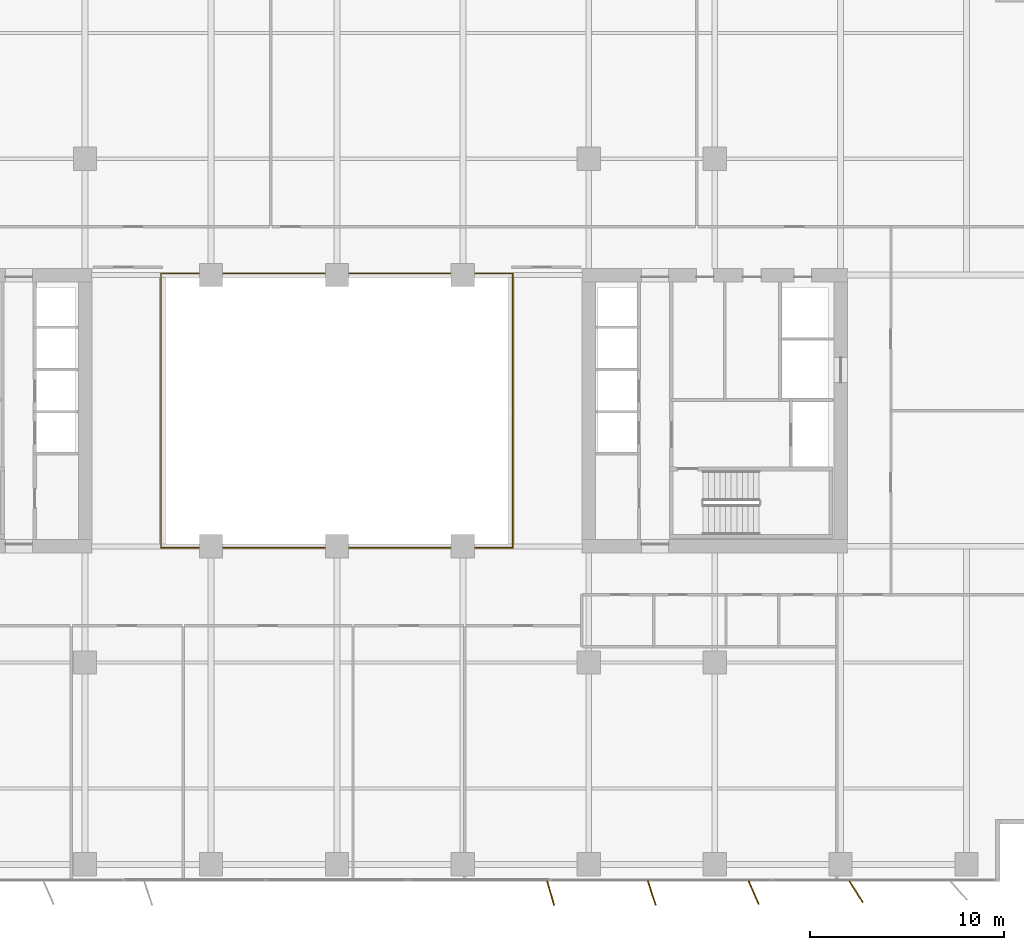
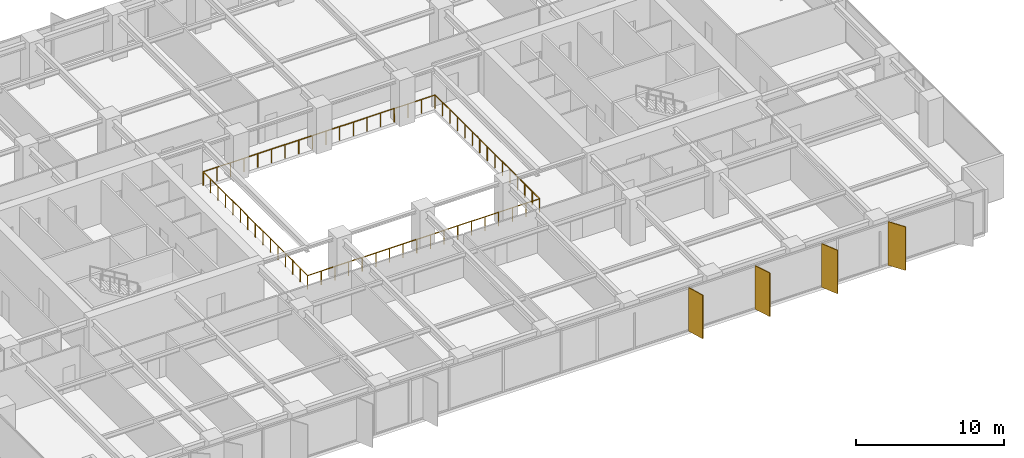
# One storey, part 18 of 20: 4 shading devices, 2 railings.
"""IFC4 building model written with IfcOpenShell, lengths in metres."""

from ifc_helpers import new_model, si_unit, direction, frame, origin, origin_2d, place, context, subcontext, project, spatial, rectangle, circle, extrude, material, layer, layer_set, type_object, element, save


model = new_model("IFC4")

# Units and contexts
model_context = context("Model", 3, precision=1e-05, world=origin(), true_north=direction((0.0, 1.0)))
body_context = subcontext(model_context, "Body", "Model", "MODEL_VIEW")
ifc_project = project(units=[si_unit("LENGTHUNIT", "METRE"), si_unit("AREAUNIT", "SQUARE_METRE"), si_unit("VOLUMEUNIT", "CUBIC_METRE"), si_unit("PLANEANGLEUNIT", "RADIAN"), si_unit("MASSUNIT", "GRAM", prefix="KILO")], contexts=[model_context])

# Site, building, storey
site_placement = place(None, origin())
site = spatial("IfcSite", under=ifc_project, at=site_placement, CompositionType="ELEMENT")
building_placement = place(site_placement, origin())
building = spatial("IfcBuilding", under=site, at=building_placement, Name="Putna Gate Headquarters", CompositionType="ELEMENT")
storey_placement = place(building_placement, frame((0.0, 0.0, 93.60009765625)))
storey = spatial("IfcBuildingStorey", under=building, at=storey_placement, Name="L22", CompositionType="ELEMENT", Elevation=93.60009765625)

# Railings
ifc_material_1 = material(Name="Anodised bronze and laminated glass atrium balustrade", Category="glass")
railing_type = type_object("IfcRailingType", Name="RAIL-ATRIUM-GUARD-1150", PredefinedType="GUARDRAIL", material=ifc_material_1)
railing_1_placement = place(storey_placement, frame((29.919921875, 25.969970703125, 0.0)))
element("IfcRailing", 1, at=railing_1_placement, inside=storey, type_object=railing_type, Name="L22 Central Atrium Glazed Balustrade South", PredefinedType="GUARDRAIL", context=body_context, shape_type="SweptSolid", body=[
    extrude(circle(Radius=0.02392578125, at=origin_2d()), frame((0.0, 0.0, 1.1259765625), z_axis=(0.0, -1.0, 0.0), x_axis=(1.0, 0.0, 0.0)), (0.0, 0.0, 1.0), 7.050048828125),
    extrude(circle(Radius=0.02392578125, at=origin_2d()), frame((0.0, -7.050048828125, 1.1259765625), z_axis=(1.0, 0.0, 0.0), x_axis=(0.0, 1.0, 0.0)), (0.0, 0.0, 1.0), 18.16015625),
    extrude(circle(Radius=0.02392578125, at=origin_2d()), frame((18.16015625, -7.050048828125, 1.1259765625), z_axis=(0.0, 1.0, 0.0), x_axis=(-1.0, 0.0, 0.0)), (0.0, 0.0, 1.0), 7.050048828125),
    extrude(circle(Radius=0.02099609375, at=origin_2d()), origin(), (0.0, 0.0, 1.0), 1.101806640625),
    extrude(circle(Radius=0.02099609375, at=origin_2d()), frame((0.0, -1.007080078125, 0.0)), (0.0, 0.0, 1.0), 1.101806640625),
    extrude(circle(Radius=0.02099609375, at=origin_2d()), frame((0.0, -2.014404296875, 0.0)), (0.0, 0.0, 1.0), 1.101806640625),
    extrude(circle(Radius=0.02099609375, at=origin_2d()), frame((0.0, -3.021484375, 0.0)), (0.0, 0.0, 1.0), 1.101806640625),
    extrude(circle(Radius=0.02099609375, at=origin_2d()), frame((0.0, -4.028564453125, 0.0)), (0.0, 0.0, 1.0), 1.101806640625),
    extrude(circle(Radius=0.02099609375, at=origin_2d()), frame((0.0, -5.03564453125, 0.0)), (0.0, 0.0, 1.0), 1.101806640625),
    extrude(circle(Radius=0.02099609375, at=origin_2d()), frame((0.0, -6.04296875, 0.0)), (0.0, 0.0, 1.0), 1.101806640625),
    extrude(circle(Radius=0.02099609375, at=origin_2d()), frame((0.0, -7.050048828125, 0.0)), (0.0, 0.0, 1.0), 1.101806640625),
    extrude(circle(Radius=0.02099609375, at=origin_2d()), frame((1.068359375, -7.050048828125, 0.0)), (0.0, 0.0, 1.0), 1.101806640625),
    extrude(circle(Radius=0.02099609375, at=origin_2d()), frame((2.136474609375, -7.050048828125, 0.0)), (0.0, 0.0, 1.0), 1.101806640625),
    extrude(circle(Radius=0.02099609375, at=origin_2d()), frame((3.204833984375, -7.050048828125, 0.0)), (0.0, 0.0, 1.0), 1.101806640625),
    extrude(circle(Radius=0.02099609375, at=origin_2d()), frame((4.27294921875, -7.050048828125, 0.0)), (0.0, 0.0, 1.0), 1.101806640625),
    extrude(circle(Radius=0.02099609375, at=origin_2d()), frame((5.34130859375, -7.050048828125, 0.0)), (0.0, 0.0, 1.0), 1.101806640625),
    extrude(circle(Radius=0.02099609375, at=origin_2d()), frame((6.409423828125, -7.050048828125, 0.0)), (0.0, 0.0, 1.0), 1.101806640625),
    extrude(circle(Radius=0.02099609375, at=origin_2d()), frame((7.477783203125, -7.050048828125, 0.0)), (0.0, 0.0, 1.0), 1.101806640625),
    extrude(circle(Radius=0.02099609375, at=origin_2d()), frame((8.5458984375, -7.050048828125, 0.0)), (0.0, 0.0, 1.0), 1.101806640625),
    extrude(circle(Radius=0.02099609375, at=origin_2d()), frame((9.6142578125, -7.050048828125, 0.0)), (0.0, 0.0, 1.0), 1.101806640625),
    extrude(circle(Radius=0.02099609375, at=origin_2d()), frame((10.682373046875, -7.050048828125, 0.0)), (0.0, 0.0, 1.0), 1.101806640625),
    extrude(circle(Radius=0.02099609375, at=origin_2d()), frame((11.750732421875, -7.050048828125, 0.0)), (0.0, 0.0, 1.0), 1.101806640625),
    extrude(circle(Radius=0.02099609375, at=origin_2d()), frame((12.81884765625, -7.050048828125, 0.0)), (0.0, 0.0, 1.0), 1.101806640625),
    extrude(circle(Radius=0.02099609375, at=origin_2d()), frame((13.88720703125, -7.050048828125, 0.0)), (0.0, 0.0, 1.0), 1.101806640625),
    extrude(circle(Radius=0.02099609375, at=origin_2d()), frame((14.955322265625, -7.050048828125, 0.0)), (0.0, 0.0, 1.0), 1.101806640625),
    extrude(circle(Radius=0.02099609375, at=origin_2d()), frame((16.023681640625, -7.050048828125, 0.0)), (0.0, 0.0, 1.0), 1.101806640625),
    extrude(circle(Radius=0.02099609375, at=origin_2d()), frame((17.091796875, -7.050048828125, 0.0)), (0.0, 0.0, 1.0), 1.101806640625),
    extrude(circle(Radius=0.02099609375, at=origin_2d()), frame((18.16015625, -7.050048828125, 0.0)), (0.0, 0.0, 1.0), 1.101806640625),
    extrude(circle(Radius=0.02099609375, at=origin_2d()), frame((18.16015625, -6.04296875, 0.0)), (0.0, 0.0, 1.0), 1.101806640625),
    extrude(circle(Radius=0.02099609375, at=origin_2d()), frame((18.16015625, -5.03564453125, 0.0)), (0.0, 0.0, 1.0), 1.101806640625),
    extrude(circle(Radius=0.02099609375, at=origin_2d()), frame((18.16015625, -4.028564453125, 0.0)), (0.0, 0.0, 1.0), 1.101806640625),
    extrude(circle(Radius=0.02099609375, at=origin_2d()), frame((18.16015625, -3.021484375, 0.0)), (0.0, 0.0, 1.0), 1.101806640625),
    extrude(circle(Radius=0.02099609375, at=origin_2d()), frame((18.16015625, -2.014404296875, 0.0)), (0.0, 0.0, 1.0), 1.101806640625),
    extrude(circle(Radius=0.02099609375, at=origin_2d()), frame((18.16015625, -1.007080078125, 0.0)), (0.0, 0.0, 1.0), 1.101806640625),
    extrude(circle(Radius=0.02099609375, at=origin_2d()), frame((18.16015625, 0.0, 0.0)), (0.0, 0.0, 1.0), 1.101806640625),
])
railing_2_placement = place(storey_placement, frame((48.080078125, 26.030029296875, 0.0)))
element("IfcRailing", 2, at=railing_2_placement, inside=storey, type_object=railing_type, Name="L22 Central Atrium Glazed Balustrade North", PredefinedType="GUARDRAIL", context=body_context, shape_type="SweptSolid", body=[
    extrude(circle(Radius=0.02392578125, at=origin_2d()), frame((0.0, 0.0, 1.1259765625), z_axis=(0.0, 1.0, 0.0), x_axis=(-1.0, 0.0, 0.0)), (0.0, 0.0, 1.0), 7.050048828125),
    extrude(circle(Radius=0.02392578125, at=origin_2d()), frame((0.0, 7.050048828125, 1.1259765625), z_axis=(-1.0, 0.0, 0.0), x_axis=(0.0, -1.0, 0.0)), (0.0, 0.0, 1.0), 18.16015625),
    extrude(circle(Radius=0.02392578125, at=origin_2d()), frame((-18.16015625, 7.050048828125, 1.1259765625), z_axis=(0.0, -1.0, 0.0), x_axis=(1.0, 0.0, 0.0)), (0.0, 0.0, 1.0), 7.050048828125),
    extrude(circle(Radius=0.02099609375, at=origin_2d()), origin(), (0.0, 0.0, 1.0), 1.101806640625),
    extrude(circle(Radius=0.02099609375, at=origin_2d()), frame((0.0, 1.007080078125, 0.0)), (0.0, 0.0, 1.0), 1.101806640625),
    extrude(circle(Radius=0.02099609375, at=origin_2d()), frame((0.0, 2.014404296875, 0.0)), (0.0, 0.0, 1.0), 1.101806640625),
    extrude(circle(Radius=0.02099609375, at=origin_2d()), frame((0.0, 3.021484375, 0.0)), (0.0, 0.0, 1.0), 1.101806640625),
    extrude(circle(Radius=0.02099609375, at=origin_2d()), frame((0.0, 4.028564453125, 0.0)), (0.0, 0.0, 1.0), 1.101806640625),
    extrude(circle(Radius=0.02099609375, at=origin_2d()), frame((0.0, 5.03564453125, 0.0)), (0.0, 0.0, 1.0), 1.101806640625),
    extrude(circle(Radius=0.02099609375, at=origin_2d()), frame((0.0, 6.04296875, 0.0)), (0.0, 0.0, 1.0), 1.101806640625),
    extrude(circle(Radius=0.02099609375, at=origin_2d()), frame((0.0, 7.050048828125, 0.0)), (0.0, 0.0, 1.0), 1.101806640625),
    extrude(circle(Radius=0.02099609375, at=origin_2d()), frame((-1.068359375, 7.050048828125, 0.0)), (0.0, 0.0, 1.0), 1.101806640625),
    extrude(circle(Radius=0.02099609375, at=origin_2d()), frame((-2.136474609375, 7.050048828125, 0.0)), (0.0, 0.0, 1.0), 1.101806640625),
    extrude(circle(Radius=0.02099609375, at=origin_2d()), frame((-3.204833984375, 7.050048828125, 0.0)), (0.0, 0.0, 1.0), 1.101806640625),
    extrude(circle(Radius=0.02099609375, at=origin_2d()), frame((-4.27294921875, 7.050048828125, 0.0)), (0.0, 0.0, 1.0), 1.101806640625),
    extrude(circle(Radius=0.02099609375, at=origin_2d()), frame((-5.34130859375, 7.050048828125, 0.0)), (0.0, 0.0, 1.0), 1.101806640625),
    extrude(circle(Radius=0.02099609375, at=origin_2d()), frame((-6.409423828125, 7.050048828125, 0.0)), (0.0, 0.0, 1.0), 1.101806640625),
    extrude(circle(Radius=0.02099609375, at=origin_2d()), frame((-7.477783203125, 7.050048828125, 0.0)), (0.0, 0.0, 1.0), 1.101806640625),
    extrude(circle(Radius=0.02099609375, at=origin_2d()), frame((-8.5458984375, 7.050048828125, 0.0)), (0.0, 0.0, 1.0), 1.101806640625),
    extrude(circle(Radius=0.02099609375, at=origin_2d()), frame((-9.6142578125, 7.050048828125, 0.0)), (0.0, 0.0, 1.0), 1.101806640625),
    extrude(circle(Radius=0.02099609375, at=origin_2d()), frame((-10.682373046875, 7.050048828125, 0.0)), (0.0, 0.0, 1.0), 1.101806640625),
    extrude(circle(Radius=0.02099609375, at=origin_2d()), frame((-11.750732421875, 7.050048828125, 0.0)), (0.0, 0.0, 1.0), 1.101806640625),
    extrude(circle(Radius=0.02099609375, at=origin_2d()), frame((-12.81884765625, 7.050048828125, 0.0)), (0.0, 0.0, 1.0), 1.101806640625),
    extrude(circle(Radius=0.02099609375, at=origin_2d()), frame((-13.88720703125, 7.050048828125, 0.0)), (0.0, 0.0, 1.0), 1.101806640625),
    extrude(circle(Radius=0.02099609375, at=origin_2d()), frame((-14.955322265625, 7.050048828125, 0.0)), (0.0, 0.0, 1.0), 1.101806640625),
    extrude(circle(Radius=0.02099609375, at=origin_2d()), frame((-16.023681640625, 7.050048828125, 0.0)), (0.0, 0.0, 1.0), 1.101806640625),
    extrude(circle(Radius=0.02099609375, at=origin_2d()), frame((-17.091796875, 7.050048828125, 0.0)), (0.0, 0.0, 1.0), 1.101806640625),
    extrude(circle(Radius=0.02099609375, at=origin_2d()), frame((-18.16015625, 7.050048828125, 0.0)), (0.0, 0.0, 1.0), 1.101806640625),
    extrude(circle(Radius=0.02099609375, at=origin_2d()), frame((-18.16015625, 6.04296875, 0.0)), (0.0, 0.0, 1.0), 1.101806640625),
    extrude(circle(Radius=0.02099609375, at=origin_2d()), frame((-18.16015625, 5.03564453125, 0.0)), (0.0, 0.0, 1.0), 1.101806640625),
    extrude(circle(Radius=0.02099609375, at=origin_2d()), frame((-18.16015625, 4.028564453125, 0.0)), (0.0, 0.0, 1.0), 1.101806640625),
    extrude(circle(Radius=0.02099609375, at=origin_2d()), frame((-18.16015625, 3.021484375, 0.0)), (0.0, 0.0, 1.0), 1.101806640625),
    extrude(circle(Radius=0.02099609375, at=origin_2d()), frame((-18.16015625, 2.014404296875, 0.0)), (0.0, 0.0, 1.0), 1.101806640625),
    extrude(circle(Radius=0.02099609375, at=origin_2d()), frame((-18.16015625, 1.007080078125, 0.0)), (0.0, 0.0, 1.0), 1.101806640625),
    extrude(circle(Radius=0.02099609375, at=origin_2d()), frame((-18.16015625, 0.0, 0.0)), (0.0, 0.0, 1.0), 1.101806640625),
])

# Shading devices
ifc_material_2 = material(Name="Anodised architectural bronze aluminium fin", Category="aluminium")
ifc_layer = layer(ifc_material_2, 0.06494140625)
ifc_layer_set = layer_set([ifc_layer], Name="Anodised architectural bronze aluminium fin")
shading_device_type = type_object("IfcShadingDeviceType", Name="SHADE-BRONZE-FIN-1320", PredefinedType="USERDEFINED", material=ifc_layer_set)
for number, where, z_axis, x_axis, name in (
    (3, (50.031982421875, 1.090576171875, -0.02001953125), (0.0, 0.0, 1.0), (0.275637355817, -0.961261695938, 0.0), "L22 Bronze Vertical Shading Fin S8"),
    (4, (55.253662109375, 1.09716796875, -0.02001953125), (0.0, 0.0, 1.0), (0.308684994204, -0.951164325631, 0.0), "L22 Bronze Vertical Shading Fin S9"),
    (5, (60.514404296875, 1.120361328125, -0.02001953125), (0.0, 0.0, 1.0), (0.400668879095, -0.916222925562, 0.0), "L22 Bronze Vertical Shading Fin S10"),
    (6, (65.80029296875, 1.16552734375, -0.02001953125), (0.0, 0.0, 1.0), (0.530659123936, -0.847585331506, 0.0), "L22 Bronze Vertical Shading Fin S11"),
):
    element("IfcShadingDevice", number, at=place(storey_placement, frame(where, z_axis=z_axis, x_axis=x_axis)), inside=storey, type_object=shading_device_type, Name=name, ObjectType="FIN", PredefinedType="USERDEFINED", context=body_context, shape_type="SweptSolid", body=[
        extrude(rectangle(XDim=1.320068359375, YDim=0.06494140625, at=origin_2d()), origin(), (0.0, 0.0, 1.0), 3.60498046875),
    ])

save(model, "model.ifc")
